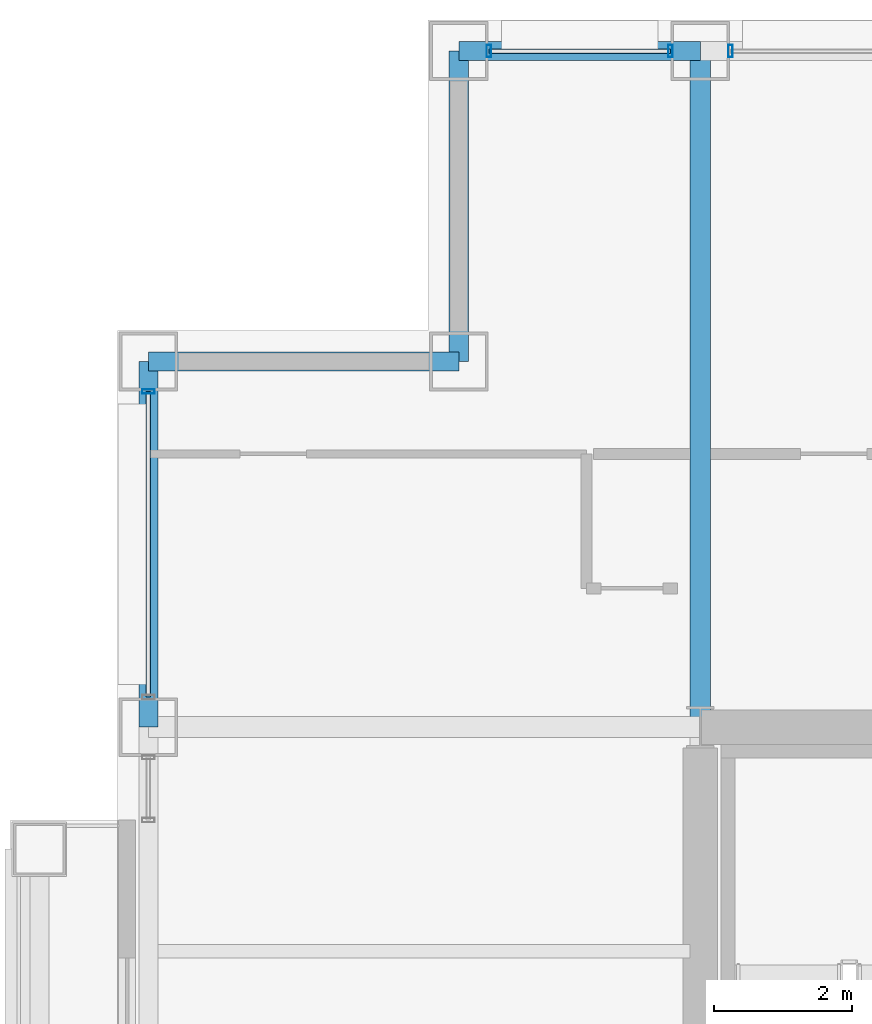
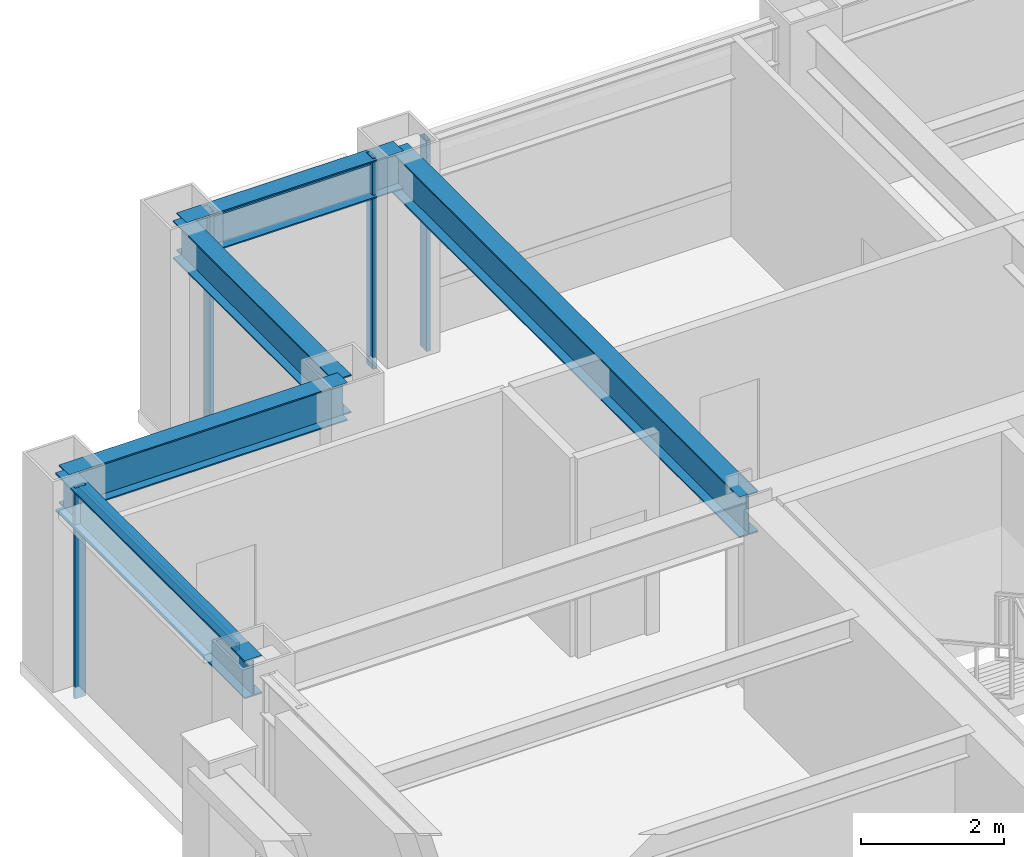
# One storey, part 18 of 31: 6 members, 5 beams, 3 elements without a shape of their own.
"""IFC4 building model written with IfcOpenShell, lengths in metres."""

from ifc_helpers import new_model, si_unit, direction, frame, origin, origin_2d, place, context, subcontext, project, spatial, hollow_rectangle, i_section, extrude, material, layer, layer_set, material_profile, profile_set, type_object, element, aggregate, save


model = new_model("IFC4")

# Units and contexts
model_context = context("Model", 3, precision=1e-05, world=origin(), true_north=direction((0.0, 1.0)))
body_context = subcontext(model_context, "Body", "Model", "MODEL_VIEW")
ifc_project = project(units=[si_unit("LENGTHUNIT", "METRE"), si_unit("AREAUNIT", "SQUARE_METRE"), si_unit("VOLUMEUNIT", "CUBIC_METRE"), si_unit("PLANEANGLEUNIT", "RADIAN"), si_unit("MASSUNIT", "GRAM", prefix="KILO")], contexts=[model_context])

# Site, building, storey
site_placement = place(None, origin())
site = spatial("IfcSite", under=ifc_project, at=site_placement, CompositionType="ELEMENT")
building_placement = place(site_placement, origin())
building = spatial("IfcBuilding", under=site, at=building_placement, Name="Brelmoor Portico Tower", CompositionType="ELEMENT")
storey_placement = place(building_placement, frame((0.0, 0.0, 113.39990234375)))
storey = spatial("IfcBuildingStorey", under=building, at=storey_placement, Name="L29", CompositionType="ELEMENT", Elevation=113.39990234375)

# Beams
ifc_material_1 = material(Name="Steel Q355B", Category="steel")
ifc_material_profile_1 = material_profile(ifc_material_1, i_section(OverallWidth=0.300048828125, OverallDepth=0.699951171875, WebThickness=0.012939453125, FlangeThickness=0.02392578125, at=origin_2d()), Name="HN 700x300x13x24")
ifc_profile_set_1 = profile_set([ifc_material_profile_1], Name="Steel Q355B")
beam_type_1 = type_object("IfcBeamType", Name="BM-PG-700", PredefinedType="BEAM", material=ifc_profile_set_1)
beam_1_placement = place(storey_placement, frame((-14.550048828125, 9.75, 3.050048828125), z_axis=(0.0, 1.0, 0.0), x_axis=(-1.0, 0.0, 0.0)))
element("IfcBeam", 1, at=beam_1_placement, inside=storey, type_object=beam_type_1, Name="L29 Primary Floor Girder PG-04", PredefinedType="BEAM", context=body_context, shape_type="SweptSolid", body=[
    extrude(i_section(OverallWidth=0.300048828125, OverallDepth=0.699951171875, WebThickness=0.012939453125, FlangeThickness=0.02392578125, at=origin_2d()), origin(), (0.0, 0.0, 1.0), 9.800048828125),
])
ifc_material_profile_2 = material_profile(ifc_material_1, i_section(OverallWidth=0.280029296875, OverallDepth=0.64990234375, WebThickness=0.012939453125, FlangeThickness=0.02197265625, at=origin_2d()), Name="HN 650x280x13x22")
ifc_profile_set_2 = profile_set([ifc_material_profile_2], Name="Steel Q355B")
beam_type_2 = type_object("IfcBeamType", Name="BM-SP-650", PredefinedType="SPANDREL", material=ifc_profile_set_2)
beam_2_placement = place(storey_placement, frame((-22.550048828125, 15.050048828125, 3.0751953125), z_axis=(1.0, 0.0, 0.0), x_axis=(0.0, 1.0, 0.0)))
element("IfcBeam", 2, at=beam_2_placement, inside=storey, type_object=beam_type_2, Name="L29 Perimeter Spandrel Beam SP-08", PredefinedType="SPANDREL", context=body_context, shape_type="SweptSolid", body=[
    extrude(i_section(OverallWidth=0.280029296875, OverallDepth=0.64990234375, WebThickness=0.012939453125, FlangeThickness=0.02197265625, at=origin_2d()), origin(), (0.0, 0.0, 1.0), 4.5),
])
beam_3_placement = place(storey_placement, frame((-18.050048828125, 19.550048828125, 3.0751953125), z_axis=(1.0, 0.0, 0.0), x_axis=(0.0, 1.0, 0.0)))
element("IfcBeam", 3, at=beam_3_placement, inside=storey, type_object=beam_type_2, Name="L29 Perimeter Spandrel Beam SP-10", PredefinedType="SPANDREL", context=body_context, shape_type="SweptSolid", body=[
    extrude(i_section(OverallWidth=0.280029296875, OverallDepth=0.64990234375, WebThickness=0.012939453125, FlangeThickness=0.02197265625, at=origin_2d()), origin(), (0.0, 0.0, 1.0), 3.5),
])
beam_4_placement = place(storey_placement, frame((-22.550048828125, 9.75, 3.0751953125), z_axis=(0.0, 1.0, 0.0), x_axis=(-1.0, 0.0, 0.0)))
element("IfcBeam", 4, at=beam_4_placement, inside=storey, type_object=beam_type_2, Name="L29 Perimeter Spandrel Beam SP-17", PredefinedType="SPANDREL", context=body_context, shape_type="SweptSolid", body=[
    extrude(i_section(OverallWidth=0.280029296875, OverallDepth=0.64990234375, WebThickness=0.012939453125, FlangeThickness=0.02197265625, at=origin_2d()), origin(), (0.0, 0.0, 1.0), 5.300048828125),
])
beam_5_placement = place(storey_placement, frame((-18.050048828125, 15.050048828125, 3.0751953125), z_axis=(0.0, 1.0, 0.0), x_axis=(-1.0, 0.0, 0.0)))
element("IfcBeam", 5, at=beam_5_placement, inside=storey, type_object=beam_type_2, Name="L29 Perimeter Spandrel Beam SP-19", PredefinedType="SPANDREL", context=body_context, shape_type="SweptSolid", body=[
    extrude(i_section(OverallWidth=0.280029296875, OverallDepth=0.64990234375, WebThickness=0.012939453125, FlangeThickness=0.02197265625, at=origin_2d()), origin(), (0.0, 0.0, 1.0), 4.5),
])

# Curtain wall, members
ifc_material_2 = material(Name="Anodised Aluminium Alloy 6063-T6", Category="aluminium")
ifc_layer_1 = layer(ifc_material_2, 0.179931640625)
ifc_layer_set_1 = layer_set([ifc_layer_1], Name="Anodised Aluminium Alloy 6063-T6")
curtain_wall_type_1 = type_object("IfcCurtainWallType", Name="CW-TOWER-Z2-XB", PredefinedType="NOTDEFINED", material=ifc_layer_set_1)
curtain_wall_1_placement = place(storey_placement, origin())
curtain_wall_1 = element("IfcCurtainWall", 6, at=curtain_wall_1_placement, inside=storey, type_object=curtain_wall_type_1, Name="L29 Curtain Wall CW-L29-02-1", PredefinedType="NOTDEFINED")
ifc_material_profile_3 = material_profile(ifc_material_2, hollow_rectangle(XDim=0.06494140625, YDim=0.179931640625, WallThickness=0.00390625, at=origin_2d()), Name="ALU MULLION 65x180")
ifc_profile_set_3 = profile_set([ifc_material_profile_3], Name="Anodised Aluminium Alloy 6063-T6")
member_type_1 = type_object("IfcMemberType", Name="MB-CW-MULL-180", PredefinedType="MULLION", material=ifc_profile_set_3)
member_1_placement = place(storey_placement, frame((-17.614990234375, 19.550048828125, -0.199951171875), z_axis=(0.0, 0.0, 1.0), x_axis=(1.0, 0.0, 0.0)))
member_1 = element("IfcMember", 7, at=member_1_placement, type_object=member_type_1, Name="CW-L29-02-1 Mullion 00", PredefinedType="MULLION", context=body_context, shape_type="SweptSolid", body=[
    extrude(hollow_rectangle(XDim=0.06494140625, YDim=0.179931640625, WallThickness=0.00390625, at=origin_2d()), origin(), (0.0, 0.0, 1.0), 3.60009765625),
])
member_2_placement = place(storey_placement, frame((-14.985107421875, 19.550048828125, -0.199951171875), z_axis=(0.0, 0.0, 1.0), x_axis=(1.0, 0.0, 0.0)))
member_2 = element("IfcMember", 8, at=member_2_placement, type_object=member_type_1, Name="CW-L29-02-1 Mullion 01", PredefinedType="MULLION", context=body_context, shape_type="SweptSolid", body=[
    extrude(hollow_rectangle(XDim=0.06494140625, YDim=0.179931640625, WallThickness=0.00390625, at=origin_2d()), origin(), (0.0, 0.0, 1.0), 3.60009765625),
])

# Curtain wall, member
ifc_layer_2 = layer(ifc_material_2, 0.179931640625)
ifc_layer_set_2 = layer_set([ifc_layer_2], Name="Anodised Aluminium Alloy 6063-T6")
curtain_wall_type_2 = type_object("IfcCurtainWallType", Name="CW-TOWER-Z2", PredefinedType="NOTDEFINED", material=ifc_layer_set_2)
curtain_wall_2_placement = place(storey_placement, origin())
curtain_wall_2 = element("IfcCurtainWall", 9, at=curtain_wall_2_placement, inside=storey, type_object=curtain_wall_type_2, Name="L29 Curtain Wall CW-L29-02-2", PredefinedType="NOTDEFINED")
member_3_placement = place(storey_placement, frame((-14.114990234375, 19.550048828125, -0.199951171875), z_axis=(0.0, 0.0, 1.0), x_axis=(1.0, 0.0, 0.0)))
member_3 = element("IfcMember", 10, at=member_3_placement, type_object=member_type_1, Name="CW-L29-02-2 Mullion 00", PredefinedType="MULLION", context=body_context, shape_type="SweptSolid", body=[
    extrude(hollow_rectangle(XDim=0.06494140625, YDim=0.179931640625, WallThickness=0.00390625, at=origin_2d()), origin(), (0.0, 0.0, 1.0), 3.60009765625),
])
aggregate(curtain_wall_2, [member_3])

curtain_wall_3_placement = place(storey_placement, origin())
curtain_wall_3 = element("IfcCurtainWall", 11, at=curtain_wall_3_placement, inside=storey, type_object=curtain_wall_type_1, Name="L29 Curtain Wall CW-L29-3R-2", PredefinedType="NOTDEFINED")
member_4_placement = place(storey_placement, frame((-22.550048828125, 14.614990234375, -0.199951171875), z_axis=(0.0, 0.0, 1.0), x_axis=(0.0, 1.0, 0.0)))
member_4 = element("IfcMember", 12, at=member_4_placement, type_object=member_type_1, Name="CW-L29-3R-2 Mullion 01", PredefinedType="MULLION", context=body_context, shape_type="SweptSolid", body=[
    extrude(hollow_rectangle(XDim=0.06494140625, YDim=0.179931640625, WallThickness=0.00390625, at=origin_2d()), origin(), (0.0, 0.0, 1.0), 3.60009765625),
])

# Member
ifc_material_profile_4 = material_profile(ifc_material_2, hollow_rectangle(XDim=0.06494140625, YDim=0.139892578125, WallThickness=0.00390625, at=origin_2d()), Name="ALU TRANSOM 65x140")
ifc_profile_set_4 = profile_set([ifc_material_profile_4], Name="Anodised Aluminium Alloy 6063-T6")
member_type_2 = type_object("IfcMemberType", Name="MB-CW-TRAN-140", PredefinedType="USERDEFINED", material=ifc_profile_set_4)
member_5_placement = place(storey_placement, frame((-17.614990234375, 19.550048828125, 3.330078125), z_axis=(1.0, 0.0, 0.0), x_axis=(0.0, 1.0, 0.0)))
member_5 = element("IfcMember", 13, at=member_5_placement, type_object=member_type_2, Name="CW-L29-02-1 Transom 1-00", ObjectType="TRANSOM", PredefinedType="USERDEFINED", context=body_context, shape_type="SweptSolid", body=[
    extrude(hollow_rectangle(XDim=0.06494140625, YDim=0.139892578125, WallThickness=0.00390625, at=origin_2d()), origin(), (0.0, 0.0, 1.0), 2.6298828125),
])

aggregate(curtain_wall_1, [member_1, member_2, member_5])

member_6_placement = place(storey_placement, frame((-22.550048828125, 10.18505859375, 3.330078125), z_axis=(0.0, 1.0, 0.0), x_axis=(-1.0, 0.0, 0.0)))
member_6 = element("IfcMember", 14, at=member_6_placement, type_object=member_type_2, Name="CW-L29-3R-2 Transom 1-00", ObjectType="TRANSOM", PredefinedType="USERDEFINED", context=body_context, shape_type="SweptSolid", body=[
    extrude(hollow_rectangle(XDim=0.06494140625, YDim=0.139892578125, WallThickness=0.00390625, at=origin_2d()), origin(), (0.0, 0.0, 1.0), 4.429931640625),
])

aggregate(curtain_wall_3, [member_4, member_6])

save(model, "model.ifc")
